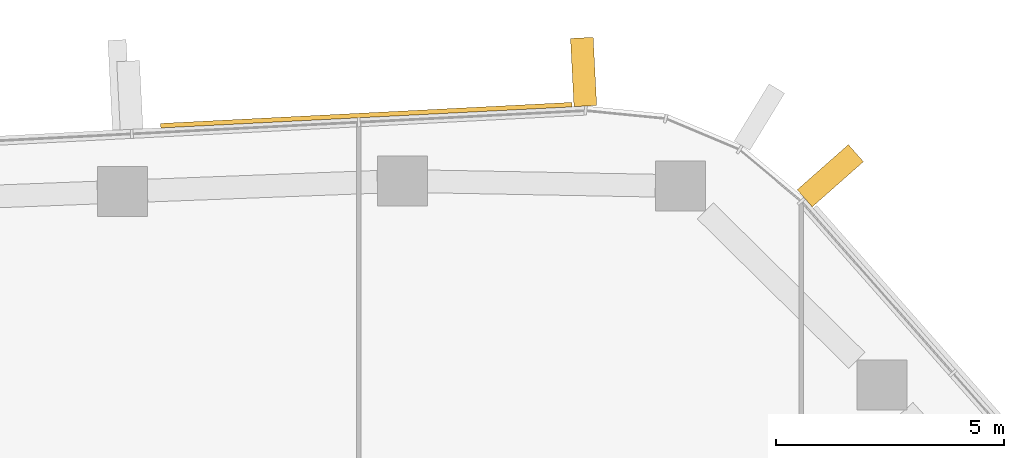
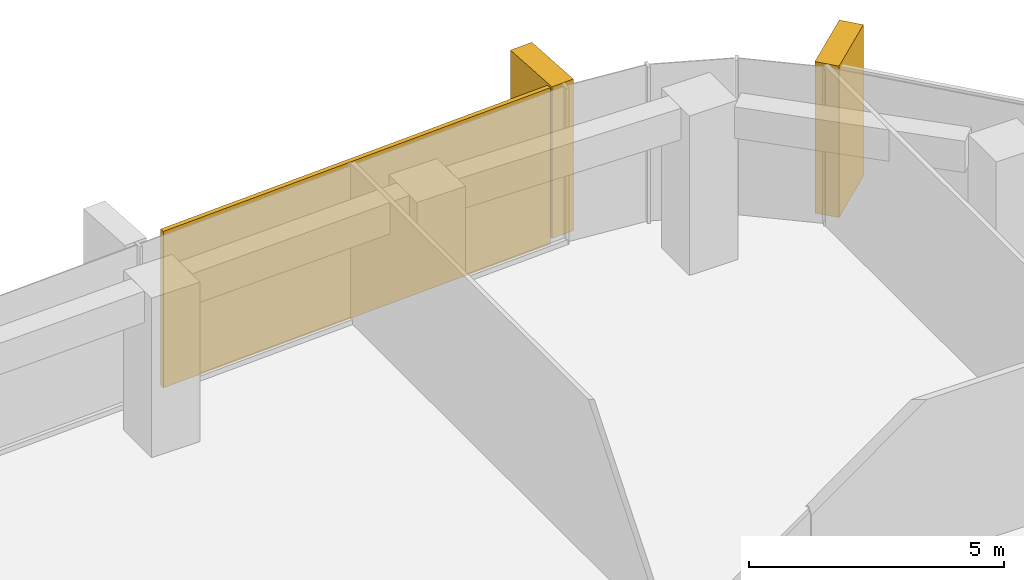
# One storey, part 22 of 22: 3 coverings, 2 elements without a shape of their own.
"""IFC4 building model written with IfcOpenShell, lengths in metres."""

from ifc_helpers import new_model, si_unit, direction, frame, origin, origin_2d, place, context, subcontext, project, spatial, rectangle, extrude, material, layer, layer_set, material_profile, profile_set, type_object, element, aggregate, save


model = new_model("IFC4")

# Units and contexts
model_context = context("Model", 3, precision=1e-05, world=origin(), true_north=direction((0.0, 1.0)))
body_context = subcontext(model_context, "Body", "Model", "MODEL_VIEW")
ifc_project = project(units=[si_unit("LENGTHUNIT", "METRE"), si_unit("AREAUNIT", "SQUARE_METRE"), si_unit("VOLUMEUNIT", "CUBIC_METRE"), si_unit("PLANEANGLEUNIT", "RADIAN"), si_unit("MASSUNIT", "GRAM", prefix="KILO")], contexts=[model_context])

# Site, building, storey
site_placement = place(None, origin())
site = spatial("IfcSite", under=ifc_project, at=site_placement, CompositionType="ELEMENT")
building_placement = place(site_placement, origin())
building = spatial("IfcBuilding", under=site, at=building_placement, Name="Dongbaek Canopy Tower", CompositionType="ELEMENT")
storey_placement = place(building_placement, frame((0.0, 0.0, 237.0)))
storey = spatial("IfcBuildingStorey", under=building, at=storey_placement, Name="L49", CompositionType="ELEMENT", Elevation=237.0)

# Curtain wall, covering
ifc_material_1 = material(Name="Aluminium 6063-T6 pale anodised", Category="aluminium")
ifc_layer_1 = layer(ifc_material_1, 0.199951171875)
ifc_layer_set_1 = layer_set([ifc_layer_1], Name="CW-1 unitised tower curtain wall")
curtain_wall_type = type_object("IfcCurtainWallType", Name="CW-1 unitised tower curtain wall", PredefinedType="NOTDEFINED", material=ifc_layer_set_1)
curtain_wall_1_placement = place(storey_placement, origin())
curtain_wall_1 = element("IfcCurtainWall", 1, at=curtain_wall_1_placement, inside=storey, type_object=curtain_wall_type, Name="CW-1 curtain wall F1.1", PredefinedType="NOTDEFINED")
ifc_material_2 = material(Name="Perforated aluminium 6063-T6 pale metal screen", Category="aluminium")
ifc_layer_2 = layer(ifc_material_2, 0.10009765625)
ifc_layer_set_2 = layer_set([ifc_layer_2], Name="Facet screen FS1 100 pale metal")
covering_type_1 = type_object("IfcCoveringType", Name="Facet screen FS1 100 pale metal", PredefinedType="CLADDING", material=ifc_layer_set_2)
covering_1_placement = place(storey_placement, frame((4.093505859375, 26.158203125, 0.0), z_axis=(0.0, 0.0, 1.0), x_axis=(-0.998689873476, -0.051171638795, 0.0)))
covering_1 = element("IfcCovering", 2, at=covering_1_placement, type_object=covering_type_1, Name="Facet screen L49 F1", PredefinedType="CLADDING", context=body_context, shape_type="SweptSolid", body=[
    extrude(rectangle(XDim=9.0478515625, YDim=0.10009765625, at=origin_2d()), origin(), (0.0, 0.0, 1.0), 3.75),
])

curtain_wall_2_placement = place(storey_placement, origin())
curtain_wall_2 = element("IfcCurtainWall", 3, at=curtain_wall_2_placement, inside=storey, type_object=curtain_wall_type, Name="CW-1 curtain wall F0.1", PredefinedType="NOTDEFINED")
ifc_material_3 = material(Name="Aluminium 6063-T6 pale metal fin", Category="aluminium")
ifc_material_profile = material_profile(ifc_material_3, rectangle(XDim=1.5, YDim=0.5, at=origin_2d()), Name="Fin FN1 500 x 1500 pale metal")
ifc_profile_set = profile_set([ifc_material_profile], Name="Aluminium 6063-T6 pale metal fin")
covering_type_2 = type_object("IfcCoveringType", Name="Fin FN1 500 x 1500 pale metal", PredefinedType="CLADDING", material=ifc_profile_set)
covering_2_placement = place(storey_placement, frame((14.2841796875, 24.8271484375, 0.1201171875), z_axis=(0.0, 0.0, 1.0), x_axis=(0.749829254199, 0.661631384947, 0.0)))
covering_2 = element("IfcCovering", 4, at=covering_2_placement, type_object=covering_type_2, Name="Fin F0.1.5", PredefinedType="CLADDING", context=body_context, shape_type="SweptSolid", body=[
    extrude(rectangle(XDim=1.5, YDim=0.5, at=origin_2d()), origin(), (0.0, 0.0, 1.0), 3.6298828125),
])
aggregate(curtain_wall_2, [covering_2])

# Covering
covering_3_placement = place(storey_placement, frame((8.864990234375, 27.107421875, 0.1201171875), z_axis=(0.0, 0.0, 1.0), x_axis=(-0.051171421559, 0.998689884607, 0.0)))
covering_3 = element("IfcCovering", 5, at=covering_3_placement, type_object=covering_type_2, Name="Fin F1.1.1", PredefinedType="CLADDING", context=body_context, shape_type="SweptSolid", body=[
    extrude(rectangle(XDim=1.5, YDim=0.5, at=origin_2d()), origin(), (0.0, 0.0, 1.0), 3.6298828125),
])

aggregate(curtain_wall_1, [covering_3, covering_1])

save(model, "model.ifc")
